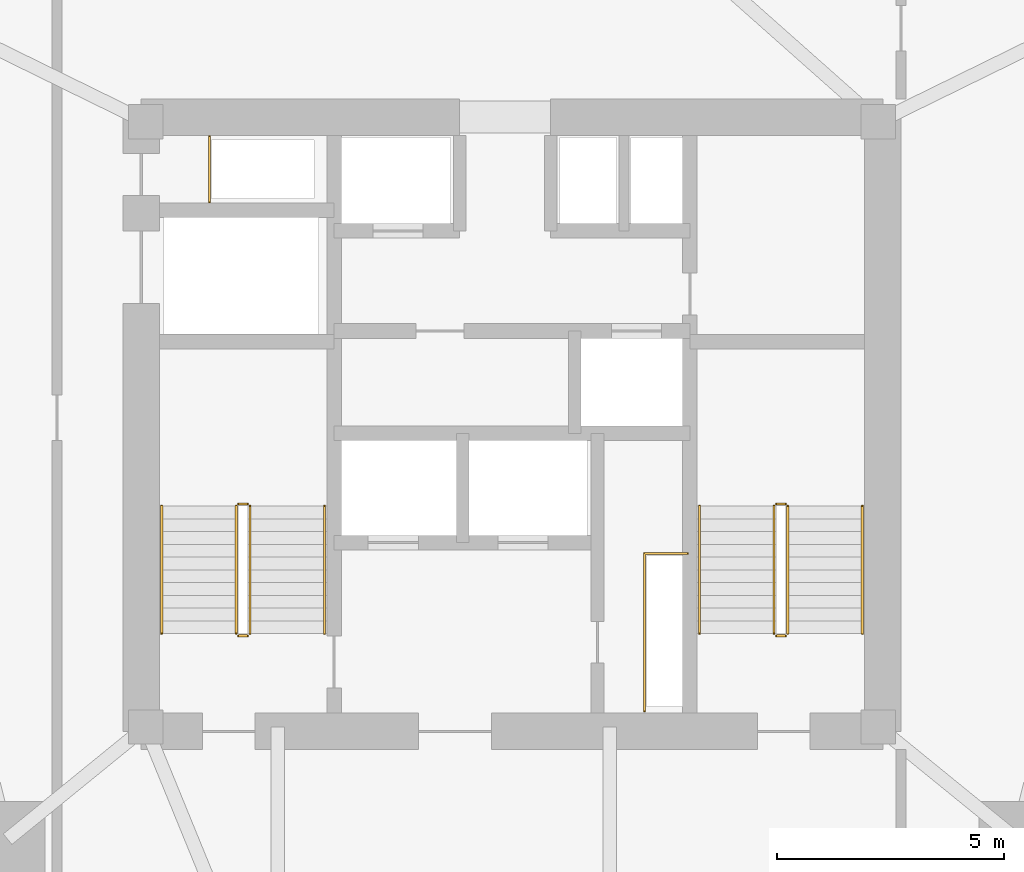
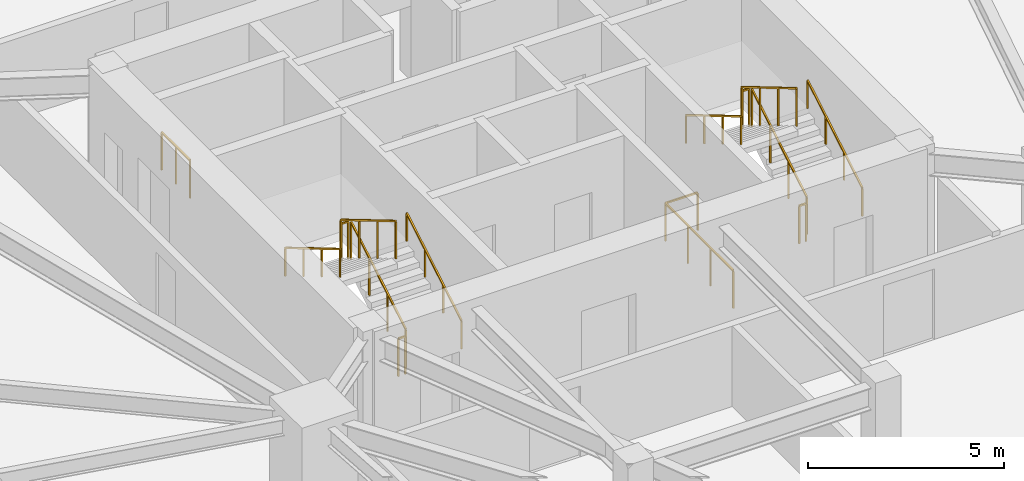
# One storey, part 17 of 17: 14 railings.
"""IFC4 building model written with IfcOpenShell, lengths in metres."""

from ifc_helpers import new_model, si_unit, direction, frame, origin, origin_2d, place, context, subcontext, project, spatial, rectangle, extrude, material, type_object, element, save


model = new_model("IFC4")

# Units and contexts
model_context = context("Model", 3, precision=1e-05, world=origin(), true_north=direction((0.0, 1.0)))
body_context = subcontext(model_context, "Body", "Model", "MODEL_VIEW")
ifc_project = project(units=[si_unit("LENGTHUNIT", "METRE"), si_unit("AREAUNIT", "SQUARE_METRE"), si_unit("VOLUMEUNIT", "CUBIC_METRE"), si_unit("PLANEANGLEUNIT", "RADIAN"), si_unit("MASSUNIT", "GRAM", prefix="KILO")], contexts=[model_context])

# Site, building, storey
site_placement = place(None, origin())
site = spatial("IfcSite", under=ifc_project, at=site_placement, CompositionType="ELEMENT")
building_placement = place(site_placement, origin())
building = spatial("IfcBuilding", under=site, at=building_placement, Name="Talyreon Biosciences Tower", CompositionType="ELEMENT")
storey_placement = place(building_placement, frame((0.0, 0.0, 93.25)))
storey = spatial("IfcBuildingStorey", under=building, at=storey_placement, Name="L24", CompositionType="ELEMENT", Elevation=93.25)

# Railings
ifc_material_1 = material(Name="Brushed stainless-steel tubular handrail", Category="steel")
railing_type_1 = type_object("IfcRailingType", Name="StairWallHandrail_900", PredefinedType="HANDRAIL", material=ifc_material_1)
railing_1_placement = place(storey_placement, frame((61.8798828125, 63.39990234375, 0.166015625)))
element("IfcRailing", 1, at=railing_1_placement, inside=storey, type_object=railing_type_1, Name="L24 ST-1 stair handrail 1", PredefinedType="HANDRAIL", context=body_context, shape_type="SweptSolid", body=[
    extrude(rectangle(XDim=0.048095703125, YDim=0.048095703125, at=origin_2d()), frame((0.0, 0.0, 0.8759765625), z_axis=(0.0, 0.860339051648, 0.50972219513), x_axis=(-1.0, 0.0, 0.0)), (0.0, 0.0, 1.0), 3.254638671875),
    extrude(rectangle(XDim=0.0419921875, YDim=0.0419921875, at=origin_2d()), origin(), (0.0, 0.0, 1.0), 0.851806640625),
    extrude(rectangle(XDim=0.0419921875, YDim=0.0419921875, at=origin_2d()), frame((0.0, 0.933349609375, 0.552978515625)), (0.0, 0.0, 1.0), 0.851806640625),
    extrude(rectangle(XDim=0.0419921875, YDim=0.0419921875, at=origin_2d()), frame((0.0, 1.86669921875, 1.10595703125)), (0.0, 0.0, 1.0), 0.851806640625),
    extrude(rectangle(XDim=0.0419921875, YDim=0.0419921875, at=origin_2d()), frame((0.0, 2.800048828125, 1.658935546875)), (0.0, 0.0, 1.0), 0.851806640625),
])
railing_2_placement = place(storey_placement, frame((58.300048828125, 66.199951171875, 1.990966796875)))
element("IfcRailing", 2, at=railing_2_placement, inside=storey, type_object=railing_type_1, Name="L24 ST-1 stair handrail 2", PredefinedType="HANDRAIL", context=body_context, shape_type="SweptSolid", body=[
    extrude(rectangle(XDim=0.048095703125, YDim=0.048095703125, at=origin_2d()), frame((0.0, 0.0, 0.8759765625), z_axis=(0.0, -0.860339051648, 0.50972219513), x_axis=(1.0, 0.0, 0.0)), (0.0, 0.0, 1.0), 3.254638671875),
    extrude(rectangle(XDim=0.0419921875, YDim=0.0419921875, at=origin_2d()), origin(), (0.0, 0.0, 1.0), 0.851806640625),
    extrude(rectangle(XDim=0.0419921875, YDim=0.0419921875, at=origin_2d()), frame((0.0, -0.933349609375, 0.552978515625)), (0.0, 0.0, 1.0), 0.851806640625),
    extrude(rectangle(XDim=0.0419921875, YDim=0.0419921875, at=origin_2d()), frame((0.0, -1.86669921875, 1.10595703125)), (0.0, 0.0, 1.0), 0.851806640625),
    extrude(rectangle(XDim=0.0419921875, YDim=0.0419921875, at=origin_2d()), frame((0.0, -2.800048828125, 1.658935546875)), (0.0, 0.0, 1.0), 0.851806640625),
])
railing_3_placement = place(storey_placement, frame((73.699951171875, 63.39990234375, 0.166015625)))
element("IfcRailing", 3, at=railing_3_placement, inside=storey, type_object=railing_type_1, Name="L24 ST-2 stair handrail 1", PredefinedType="HANDRAIL", context=body_context, shape_type="SweptSolid", body=[
    extrude(rectangle(XDim=0.048095703125, YDim=0.048095703125, at=origin_2d()), frame((0.0, 0.0, 0.8759765625), z_axis=(0.0, 0.860339051648, 0.50972219513), x_axis=(-1.0, 0.0, 0.0)), (0.0, 0.0, 1.0), 3.254638671875),
    extrude(rectangle(XDim=0.0419921875, YDim=0.0419921875, at=origin_2d()), origin(), (0.0, 0.0, 1.0), 0.851806640625),
    extrude(rectangle(XDim=0.0419921875, YDim=0.0419921875, at=origin_2d()), frame((0.0, 0.933349609375, 0.552978515625)), (0.0, 0.0, 1.0), 0.851806640625),
    extrude(rectangle(XDim=0.0419921875, YDim=0.0419921875, at=origin_2d()), frame((0.0, 1.86669921875, 1.10595703125)), (0.0, 0.0, 1.0), 0.851806640625),
    extrude(rectangle(XDim=0.0419921875, YDim=0.0419921875, at=origin_2d()), frame((0.0, 2.800048828125, 1.658935546875)), (0.0, 0.0, 1.0), 0.851806640625),
])
railing_4_placement = place(storey_placement, frame((70.1201171875, 66.199951171875, 1.990966796875)))
element("IfcRailing", 4, at=railing_4_placement, inside=storey, type_object=railing_type_1, Name="L24 ST-2 stair handrail 2", PredefinedType="HANDRAIL", context=body_context, shape_type="SweptSolid", body=[
    extrude(rectangle(XDim=0.048095703125, YDim=0.048095703125, at=origin_2d()), frame((0.0, 0.0, 0.8759765625), z_axis=(0.0, -0.860339051648, 0.50972219513), x_axis=(1.0, 0.0, 0.0)), (0.0, 0.0, 1.0), 3.254638671875),
    extrude(rectangle(XDim=0.0419921875, YDim=0.0419921875, at=origin_2d()), origin(), (0.0, 0.0, 1.0), 0.851806640625),
    extrude(rectangle(XDim=0.0419921875, YDim=0.0419921875, at=origin_2d()), frame((0.0, -0.933349609375, 0.552978515625)), (0.0, 0.0, 1.0), 0.851806640625),
    extrude(rectangle(XDim=0.0419921875, YDim=0.0419921875, at=origin_2d()), frame((0.0, -1.86669921875, 1.10595703125)), (0.0, 0.0, 1.0), 0.851806640625),
    extrude(rectangle(XDim=0.0419921875, YDim=0.0419921875, at=origin_2d()), frame((0.0, -2.800048828125, 1.658935546875)), (0.0, 0.0, 1.0), 0.851806640625),
])
ifc_material_2 = material(Name="Painted galvanised steel post-and-rail balustrade", Category="steel")
railing_type_2 = type_object("IfcRailingType", Name="TerraceStairGuard_1200", PredefinedType="GUARDRAIL", material=ifc_material_2)
railing_5_placement = place(storey_placement, frame((60.239990234375, 63.39990234375, 0.166015625)))
element("IfcRailing", 5, at=railing_5_placement, inside=storey, type_object=railing_type_2, Name="L24 ST-1 stair guard 1", PredefinedType="GUARDRAIL", context=body_context, shape_type="SweptSolid", body=[
    extrude(rectangle(XDim=0.048095703125, YDim=0.048095703125, at=origin_2d()), frame((0.0, 0.0, 1.17578125), z_axis=(0.0, 0.860339051648, 0.50972219513), x_axis=(-1.0, 0.0, 0.0)), (0.0, 0.0, 1.0), 3.254638671875),
    extrude(rectangle(XDim=0.0419921875, YDim=0.0419921875, at=origin_2d()), origin(), (0.0, 0.0, 1.0), 1.15185546875),
    extrude(rectangle(XDim=0.0419921875, YDim=0.0419921875, at=origin_2d()), frame((0.0, 0.933349609375, 0.552978515625)), (0.0, 0.0, 1.0), 1.15185546875),
    extrude(rectangle(XDim=0.0419921875, YDim=0.0419921875, at=origin_2d()), frame((0.0, 1.86669921875, 1.10595703125)), (0.0, 0.0, 1.0), 1.15185546875),
    extrude(rectangle(XDim=0.0419921875, YDim=0.0419921875, at=origin_2d()), frame((0.0, 2.800048828125, 1.658935546875)), (0.0, 0.0, 1.0), 1.15185546875),
])
railing_6_placement = place(storey_placement, frame((60.18994140625, 66.25, 1.824951171875)))
element("IfcRailing", 6, at=railing_6_placement, inside=storey, type_object=railing_type_2, Name="L24 ST-1 stair guard 2", PredefinedType="GUARDRAIL", context=body_context, shape_type="SweptSolid", body=[
    extrude(rectangle(XDim=0.048095703125, YDim=0.048095703125, at=origin_2d()), frame((0.0, 0.0, 1.17578125), z_axis=(-1.0, 0.0, 0.0), x_axis=(0.0, -1.0, 0.0)), (0.0, 0.0, 1.0), 0.199951171875),
    extrude(rectangle(XDim=0.0419921875, YDim=0.0419921875, at=origin_2d()), origin(), (0.0, 0.0, 1.0), 1.15185546875),
    extrude(rectangle(XDim=0.0419921875, YDim=0.0419921875, at=origin_2d()), frame((-0.199951171875, 0.0, 0.0)), (0.0, 0.0, 1.0), 1.15185546875),
])
railing_7_placement = place(storey_placement, frame((59.93994140625, 66.199951171875, 1.990966796875)))
element("IfcRailing", 7, at=railing_7_placement, inside=storey, type_object=railing_type_2, Name="L24 ST-1 stair guard 3", PredefinedType="GUARDRAIL", context=body_context, shape_type="SweptSolid", body=[
    extrude(rectangle(XDim=0.048095703125, YDim=0.048095703125, at=origin_2d()), frame((0.0, 0.0, 1.17578125), z_axis=(0.0, -0.860339051648, 0.50972219513), x_axis=(1.0, 0.0, 0.0)), (0.0, 0.0, 1.0), 3.254638671875),
    extrude(rectangle(XDim=0.0419921875, YDim=0.0419921875, at=origin_2d()), origin(), (0.0, 0.0, 1.0), 1.15185546875),
    extrude(rectangle(XDim=0.0419921875, YDim=0.0419921875, at=origin_2d()), frame((0.0, -0.933349609375, 0.552978515625)), (0.0, 0.0, 1.0), 1.15185546875),
    extrude(rectangle(XDim=0.0419921875, YDim=0.0419921875, at=origin_2d()), frame((0.0, -1.86669921875, 1.10595703125)), (0.0, 0.0, 1.0), 1.15185546875),
    extrude(rectangle(XDim=0.0419921875, YDim=0.0419921875, at=origin_2d()), frame((0.0, -2.800048828125, 1.658935546875)), (0.0, 0.0, 1.0), 1.15185546875),
])
railing_8_placement = place(storey_placement, frame((60.18994140625, 63.35009765625, 0.0)))
element("IfcRailing", 8, at=railing_8_placement, inside=storey, type_object=railing_type_2, Name="L24 ST-1 stair guard 4", PredefinedType="GUARDRAIL", context=body_context, shape_type="SweptSolid", body=[
    extrude(rectangle(XDim=0.048095703125, YDim=0.048095703125, at=origin_2d()), frame((0.0, 0.0, 1.17578125), z_axis=(-1.0, 0.0, 0.0), x_axis=(0.0, -1.0, 0.0)), (0.0, 0.0, 1.0), 0.199951171875),
    extrude(rectangle(XDim=0.0419921875, YDim=0.0419921875, at=origin_2d()), origin(), (0.0, 0.0, 1.0), 1.15185546875),
    extrude(rectangle(XDim=0.0419921875, YDim=0.0419921875, at=origin_2d()), frame((-0.199951171875, 0.0, 0.0)), (0.0, 0.0, 1.0), 1.15185546875),
])
railing_9_placement = place(storey_placement, frame((72.06005859375, 63.39990234375, 0.166015625)))
element("IfcRailing", 9, at=railing_9_placement, inside=storey, type_object=railing_type_2, Name="L24 ST-2 stair guard 1", PredefinedType="GUARDRAIL", context=body_context, shape_type="SweptSolid", body=[
    extrude(rectangle(XDim=0.048095703125, YDim=0.048095703125, at=origin_2d()), frame((0.0, 0.0, 1.17578125), z_axis=(0.0, 0.860339051648, 0.50972219513), x_axis=(-1.0, 0.0, 0.0)), (0.0, 0.0, 1.0), 3.254638671875),
    extrude(rectangle(XDim=0.0419921875, YDim=0.0419921875, at=origin_2d()), origin(), (0.0, 0.0, 1.0), 1.15185546875),
    extrude(rectangle(XDim=0.0419921875, YDim=0.0419921875, at=origin_2d()), frame((0.0, 0.933349609375, 0.552978515625)), (0.0, 0.0, 1.0), 1.15185546875),
    extrude(rectangle(XDim=0.0419921875, YDim=0.0419921875, at=origin_2d()), frame((0.0, 1.86669921875, 1.10595703125)), (0.0, 0.0, 1.0), 1.15185546875),
    extrude(rectangle(XDim=0.0419921875, YDim=0.0419921875, at=origin_2d()), frame((0.0, 2.800048828125, 1.658935546875)), (0.0, 0.0, 1.0), 1.15185546875),
])
railing_10_placement = place(storey_placement, frame((72.010009765625, 66.25, 1.824951171875)))
element("IfcRailing", 10, at=railing_10_placement, inside=storey, type_object=railing_type_2, Name="L24 ST-2 stair guard 2", PredefinedType="GUARDRAIL", context=body_context, shape_type="SweptSolid", body=[
    extrude(rectangle(XDim=0.048095703125, YDim=0.048095703125, at=origin_2d()), frame((0.0, 0.0, 1.17578125), z_axis=(-1.0, 0.0, 0.0), x_axis=(0.0, -1.0, 0.0)), (0.0, 0.0, 1.0), 0.199951171875),
    extrude(rectangle(XDim=0.0419921875, YDim=0.0419921875, at=origin_2d()), origin(), (0.0, 0.0, 1.0), 1.15185546875),
    extrude(rectangle(XDim=0.0419921875, YDim=0.0419921875, at=origin_2d()), frame((-0.199951171875, 0.0, 0.0)), (0.0, 0.0, 1.0), 1.15185546875),
])
railing_11_placement = place(storey_placement, frame((71.760009765625, 66.199951171875, 1.990966796875)))
element("IfcRailing", 11, at=railing_11_placement, inside=storey, type_object=railing_type_2, Name="L24 ST-2 stair guard 3", PredefinedType="GUARDRAIL", context=body_context, shape_type="SweptSolid", body=[
    extrude(rectangle(XDim=0.048095703125, YDim=0.048095703125, at=origin_2d()), frame((0.0, 0.0, 1.17578125), z_axis=(0.0, -0.860339051648, 0.50972219513), x_axis=(1.0, 0.0, 0.0)), (0.0, 0.0, 1.0), 3.254638671875),
    extrude(rectangle(XDim=0.0419921875, YDim=0.0419921875, at=origin_2d()), origin(), (0.0, 0.0, 1.0), 1.15185546875),
    extrude(rectangle(XDim=0.0419921875, YDim=0.0419921875, at=origin_2d()), frame((0.0, -0.933349609375, 0.552978515625)), (0.0, 0.0, 1.0), 1.15185546875),
    extrude(rectangle(XDim=0.0419921875, YDim=0.0419921875, at=origin_2d()), frame((0.0, -1.86669921875, 1.10595703125)), (0.0, 0.0, 1.0), 1.15185546875),
    extrude(rectangle(XDim=0.0419921875, YDim=0.0419921875, at=origin_2d()), frame((0.0, -2.800048828125, 1.658935546875)), (0.0, 0.0, 1.0), 1.15185546875),
])
railing_12_placement = place(storey_placement, frame((72.010009765625, 63.35009765625, 0.0)))
element("IfcRailing", 12, at=railing_12_placement, inside=storey, type_object=railing_type_2, Name="L24 ST-2 stair guard 4", PredefinedType="GUARDRAIL", context=body_context, shape_type="SweptSolid", body=[
    extrude(rectangle(XDim=0.048095703125, YDim=0.048095703125, at=origin_2d()), frame((0.0, 0.0, 1.17578125), z_axis=(-1.0, 0.0, 0.0), x_axis=(0.0, -1.0, 0.0)), (0.0, 0.0, 1.0), 0.199951171875),
    extrude(rectangle(XDim=0.0419921875, YDim=0.0419921875, at=origin_2d()), origin(), (0.0, 0.0, 1.0), 1.15185546875),
    extrude(rectangle(XDim=0.0419921875, YDim=0.0419921875, at=origin_2d()), frame((-0.199951171875, 0.0, 0.0)), (0.0, 0.0, 1.0), 1.15185546875),
])
railing_13_placement = place(storey_placement, frame((59.35009765625, 72.8798828125, 0.0)))
element("IfcRailing", 13, at=railing_13_placement, inside=storey, type_object=railing_type_2, Name="L24 Exhaust Riser Maintenance Guardrail", PredefinedType="GUARDRAIL", context=body_context, shape_type="SweptSolid", body=[
    extrude(rectangle(XDim=0.048095703125, YDim=0.048095703125, at=origin_2d()), frame((0.0, 0.0, 1.17578125), z_axis=(0.0, 1.0, 0.0), x_axis=(-1.0, 0.0, 0.0)), (0.0, 0.0, 1.0), 1.4501953125),
    extrude(rectangle(XDim=0.0419921875, YDim=0.0419921875, at=origin_2d()), origin(), (0.0, 0.0, 1.0), 1.15185546875),
    extrude(rectangle(XDim=0.0419921875, YDim=0.0419921875, at=origin_2d()), frame((0.0, 0.72509765625, 0.0)), (0.0, 0.0, 1.0), 1.15185546875),
    extrude(rectangle(XDim=0.0419921875, YDim=0.0419921875, at=origin_2d()), frame((0.0, 1.4501953125, 0.0)), (0.0, 0.0, 1.0), 1.15185546875),
])
railing_14_placement = place(storey_placement, frame((68.909912109375, 61.699951171875, 0.0)))
element("IfcRailing", 14, at=railing_14_placement, inside=storey, type_object=railing_type_2, Name="L24 Electrical Riser Maintenance Guardrail", PredefinedType="GUARDRAIL", context=body_context, shape_type="SweptSolid", body=[
    extrude(rectangle(XDim=0.048095703125, YDim=0.048095703125, at=origin_2d()), frame((0.0, 0.0, 1.17578125), z_axis=(0.0, 1.0, 0.0), x_axis=(-1.0, 0.0, 0.0)), (0.0, 0.0, 1.0), 3.4599609375),
    extrude(rectangle(XDim=0.048095703125, YDim=0.048095703125, at=origin_2d()), frame((0.0, 3.4599609375, 1.17578125), z_axis=(1.0, 0.0, 0.0), x_axis=(0.0, 1.0, 0.0)), (0.0, 0.0, 1.0), 0.9501953125),
    extrude(rectangle(XDim=0.0419921875, YDim=0.0419921875, at=origin_2d()), origin(), (0.0, 0.0, 1.0), 1.15185546875),
    extrude(rectangle(XDim=0.0419921875, YDim=0.0419921875, at=origin_2d()), frame((0.0, 1.1533203125, 0.0)), (0.0, 0.0, 1.0), 1.15185546875),
    extrude(rectangle(XDim=0.0419921875, YDim=0.0419921875, at=origin_2d()), frame((0.0, 2.306640625, 0.0)), (0.0, 0.0, 1.0), 1.15185546875),
    extrude(rectangle(XDim=0.0419921875, YDim=0.0419921875, at=origin_2d()), frame((0.0, 3.4599609375, 0.0)), (0.0, 0.0, 1.0), 1.15185546875),
    extrude(rectangle(XDim=0.0419921875, YDim=0.0419921875, at=origin_2d()), frame((0.9501953125, 3.4599609375, 0.0)), (0.0, 0.0, 1.0), 1.15185546875),
])

save(model, "model.ifc")
